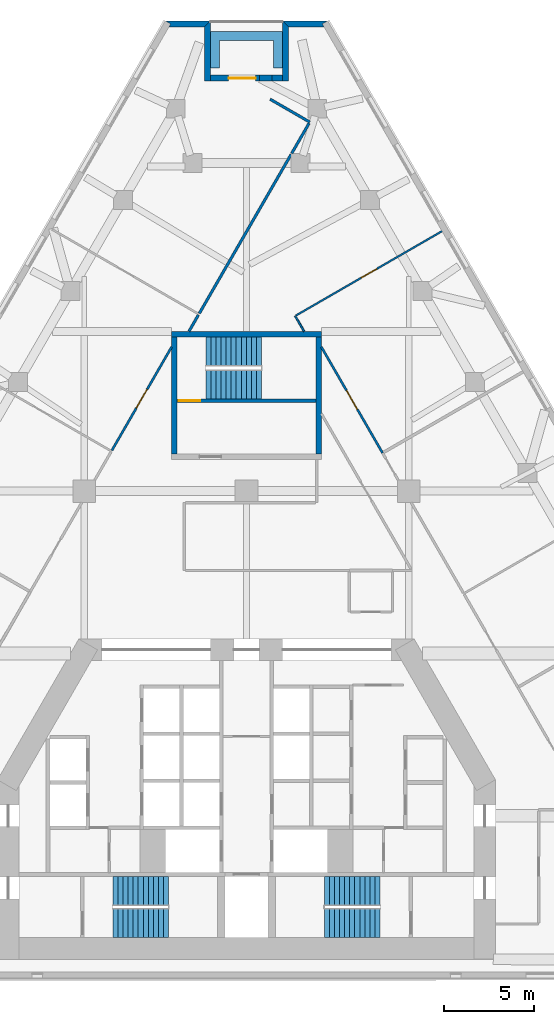
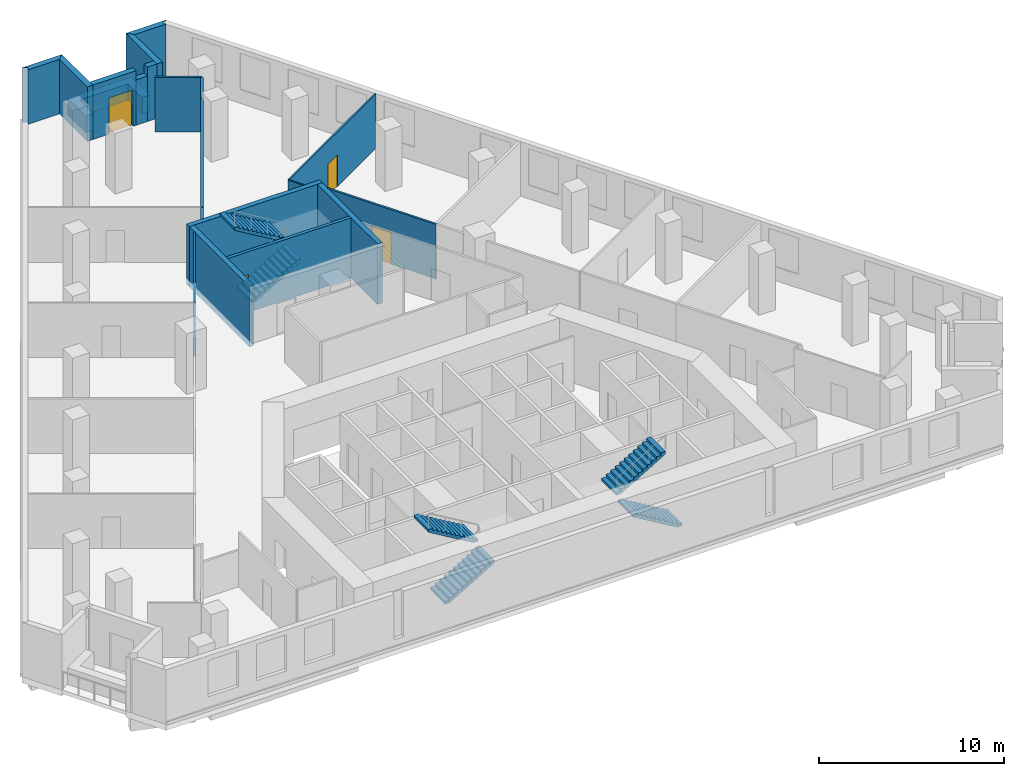
# One storey, part 8 of 9: 20 walls, 6 stair flights, 5 doors, 5 openings, 3 elements without a shape of their own.
"""IFC4 building model written with IfcOpenShell, lengths in metres."""

from ifc_helpers import new_model, si_unit, direction, frame, frame_2d, origin, place, context, subcontext, project, spatial, polyline, rectangle, outline, extrude, material, layer, layer_set, type_object, element, fill, aggregate, save


model = new_model("IFC4")

# Units and contexts
model_context = context("Model", 3, precision=1e-05, world=origin(), true_north=direction((0.0, 1.0)))
body_context = subcontext(model_context, "Body", "Model", "MODEL_VIEW")
ifc_project = project(units=[si_unit("LENGTHUNIT", "METRE"), si_unit("AREAUNIT", "SQUARE_METRE"), si_unit("VOLUMEUNIT", "CUBIC_METRE"), si_unit("PLANEANGLEUNIT", "RADIAN"), si_unit("MASSUNIT", "GRAM", prefix="KILO")], contexts=[model_context])

# Site, building, storey
site_placement = place(None, origin())
site = spatial("IfcSite", under=ifc_project, at=site_placement, CompositionType="ELEMENT")
building_placement = place(site_placement, origin())
building = spatial("IfcBuilding", under=site, at=building_placement, Name="Fogline Exchange Tower", CompositionType="ELEMENT")
storey_placement = place(building_placement, frame((0.0, 0.0, 100.10009765625)))
storey = spatial("IfcBuildingStorey", under=building, at=storey_placement, Name="L21", CompositionType="ELEMENT", Elevation=100.10009765625)

# Wall, opening, door
ifc_material_1 = material(Name="Concrete C40", Category="concrete")
ifc_layer_1 = layer(ifc_material_1, 0.199951171875)
ifc_layer_set_1 = layer_set([ifc_layer_1], Name="CW20R")
wall_type_1 = type_object("IfcWallType", Name="CW20R", PredefinedType="SOLIDWALL", material=ifc_layer_set_1)
wall_1_placement = place(storey_placement, frame((-3.85009765625, 32.007080078125, -0.400146484375), z_axis=(0.0, 0.0, 1.0), x_axis=(1.0, 0.0, 0.0)))
wall_1 = element("IfcWall", 1, at=wall_1_placement, inside=storey, type_object=wall_type_1, Name="Stair enclosure wall ST3", PredefinedType="SOLIDWALL", context=body_context, shape_type="SweptSolid", body=[
    extrude(rectangle(XDim=7.7001953125, YDim=0.199951171875, at=frame_2d((3.85009765625, 0.0))), origin(), (0.0, 0.0, 1.0), 4.0),
])
opening_1_placement = place(wall_1_placement, frame((0.10009765625, 0.0, 0.39990234375)))
opening_1 = element("IfcOpeningElement", 2, at=opening_1_placement, cuts=wall_1, Name="Opening T06-C023", PredefinedType="OPENING", context=body_context, shape_type="SweptSolid", body=[
    extrude(rectangle(XDim=1.199951171875, YDim=2.10009765625, at=frame_2d((0.60009765625, 1.050048828125))), frame((0.0, 0.10986328125, 0.0), z_axis=(0.0, -1.0, 0.0), x_axis=(1.0, 0.0, 0.0)), (0.0, 0.0, 1.0), 0.219970703125),
])
ifc_material_2 = material(Name="Steel and timber fire door", Category="steel")
door_type_1 = type_object("IfcDoorType", Name="D-ST1", OperationType="SINGLE_SWING_LEFT", PredefinedType="DOOR", material=ifc_material_2)
door_1_placement = place(opening_1_placement, origin())
door_1 = element("IfcDoor", 3, at=door_1_placement, inside=storey, type_object=door_type_1, Name="Stair door ST3", OperationType="SINGLE_SWING_LEFT", OverallHeight=2.10009765625, OverallWidth=1.199951171875, PredefinedType="DOOR", context=body_context, shape_type="SweptSolid", body=[
    extrude(rectangle(XDim=1.199951171875, YDim=2.10009765625, at=frame_2d((0.60009765625, 1.050048828125))), frame((0.0, 0.02490234375, 0.0), z_axis=(0.0, -1.0, 0.0), x_axis=(1.0, 0.0, 0.0)), (0.0, 0.0, 1.0), 0.050048828125),
])
fill(opening_1, door_1)

# Walls
ifc_layer_2 = layer(ifc_material_1, 0.300048828125)
ifc_layer_set_2 = layer_set([ifc_layer_2], Name="CW30")
wall_type_2 = type_object("IfcWallType", Name="CW30", PredefinedType="SOLIDWALL", material=ifc_layer_set_2)
wall_2_placement = place(storey_placement, frame((-4.14990234375, 35.70703125, -0.400146484375), z_axis=(0.0, 0.0, 1.0), x_axis=(1.0, 0.0, 0.0)))
element("IfcWall", 4, at=wall_2_placement, inside=storey, type_object=wall_type_2, Name="Stair enclosure wall ST3", PredefinedType="SOLIDWALL", context=body_context, shape_type="SweptSolid", body=[
    extrude(rectangle(XDim=8.2998046875, YDim=0.300048828125, at=frame_2d((4.14990234375, 0.0))), origin(), (0.0, 0.0, 1.0), 4.0),
])
for number, where, z_axis, x_axis, name in (
    (5, (-4.0, 29.056884765625, -0.400146484375), (0.0, 0.0, 1.0), (0.0, 1.0, 0.0), "Stair enclosure wall ST3"),
    (6, (4.0, 29.056884765625, -0.400146484375), (0.0, 0.0, 1.0), (0.0, 1.0, 0.0), "Stair enclosure wall ST3"),
):
    element("IfcWall", number, at=place(storey_placement, frame(where, z_axis=z_axis, x_axis=x_axis)), inside=storey, type_object=wall_type_2, Name=name, PredefinedType="SOLIDWALL", context=body_context, shape_type="SweptSolid", body=[
        extrude(rectangle(XDim=6.5, YDim=0.300048828125, at=frame_2d((3.25, 0.0))), origin(), (0.0, 0.0, 1.0), 4.0),
    ])
ifc_material_3 = material(Name="Brick masonry", Category="masonry")
ifc_layer_3 = layer(ifc_material_3, 0.340087890625)
ifc_layer_set_3 = layer_set([ifc_layer_3], Name="FW1")
wall_type_3 = type_object("IfcWallType", Name="FW1", PredefinedType="SOLIDWALL", material=ifc_layer_set_3)
wall_3_placement = place(storey_placement, origin())
element("IfcWall", 7, at=wall_3_placement, inside=storey, type_object=wall_type_3, Name="Brick wall L21 N-c1", PredefinedType="SOLIDWALL", context=body_context, shape_type="SweptSolid", body=[
    extrude(outline(polyline([(1.9990234375, 53.067138671875), (4.5009765625, 53.067138671875), (4.501220703125, 53.066650390625), (4.206298828125, 52.896484375), (4.3046875, 52.72607421875), (2.33984375, 52.72607421875), (1.998779296875, 53.06689453125), (1.9990234375, 53.067138671875)])), origin(), (0.0, 0.0, 1.0), 3.599853515625),
])
wall_4_placement = place(storey_placement, origin())
element("IfcWall", 8, at=wall_4_placement, inside=storey, type_object=wall_type_3, Name="Brick wall L21 N-s1", PredefinedType="SOLIDWALL", context=body_context, shape_type="SweptSolid", body=[
    extrude(outline(polyline([(2.340576171875, 49.72607421875), (1.99951171875, 49.72607421875), (1.99951171875, 53.067626953125), (1.999755859375, 53.06787109375), (2.340576171875, 52.726806640625), (2.340576171875, 49.72607421875)])), origin(), (0.0, 0.0, 1.0), 3.599853515625),
])
wall_5_placement = place(storey_placement, frame((2.0, 49.896728515625, 0.0), z_axis=(0.0, 0.0, 1.0), x_axis=(-1.0, 0.0, 0.0)))
element("IfcWall", 9, at=wall_5_placement, inside=storey, type_object=wall_type_3, Name="Brick wall L21 N-bk", PredefinedType="SOLIDWALL", context=body_context, shape_type="SweptSolid", body=[
    extrude(rectangle(XDim=0.589599609375, YDim=0.340087890625, at=frame_2d((0.294921875, 0.0))), origin(), (0.0, 0.0, 1.0), 3.599853515625),
])
wall_6_placement = place(storey_placement, frame((1.410400390625, 49.896728515625, 0.0), z_axis=(0.0, 0.0, 1.0), x_axis=(-1.0, 0.0, 0.0)))
element("IfcWall", 10, at=wall_6_placement, inside=storey, type_object=wall_type_3, Name="Brick wall L21 N-bk", PredefinedType="SOLIDWALL", context=body_context, shape_type="SweptSolid", body=[
    extrude(rectangle(XDim=0.701904296875, YDim=0.340087890625, at=frame_2d((0.35107421875, 0.0))), origin(), (0.0, 0.0, 1.0), 3.0),
])

# Wall, opening, door
wall_7_placement = place(storey_placement, frame((0.70849609375, 49.896728515625, 0.0), z_axis=(0.0, 0.0, 1.0), x_axis=(-1.0, 0.0, 0.0)))
wall_7 = element("IfcWall", 11, at=wall_7_placement, inside=storey, type_object=wall_type_3, Name="Brick wall L21 N-bk", PredefinedType="SOLIDWALL", context=body_context, shape_type="SweptSolid", body=[
    extrude(rectangle(XDim=2.70849609375, YDim=0.340087890625, at=frame_2d((1.354248046875, 0.0))), origin(), (0.0, 0.0, 1.0), 3.599853515625),
])
opening_2_placement = place(wall_7_placement, frame((0.199951171875, 0.0, 0.0)))
opening_2 = element("IfcOpeningElement", 12, at=opening_2_placement, cuts=wall_7, Name="Opening T06-E141", PredefinedType="OPENING", context=body_context, shape_type="SweptSolid", body=[
    extrude(rectangle(XDim=1.5, YDim=2.39990234375, at=frame_2d((0.75, 1.199951171875))), frame((0.0, 0.18017578125, 0.0), z_axis=(0.0, -1.0, 0.0), x_axis=(1.0, 0.0, 0.0)), (0.0, 0.0, 1.0), 0.360107421875),
])
ifc_material_4 = material(Name="Aluminium and glass", Category="aluminium")
door_type_2 = type_object("IfcDoorType", Name="ED4", OperationType="SINGLE_SWING_LEFT", PredefinedType="DOOR", material=ifc_material_4)
door_2_placement = place(opening_2_placement, frame((1.5, 0.0, 0.0), z_axis=(0.0, 0.0, 1.0), x_axis=(-1.0, 0.0, 0.0)))
door_2 = element("IfcDoor", 13, at=door_2_placement, inside=storey, type_object=door_type_2, Name="Balcony door L21 N", OperationType="DOUBLE_DOOR_SINGLE_SWING", OverallHeight=2.39990234375, OverallWidth=1.5, PredefinedType="DOOR", context=body_context, shape_type="SweptSolid", body=[
    extrude(rectangle(XDim=1.5, YDim=2.39990234375, at=frame_2d((0.75, 1.199951171875))), frame((0.0, 0.02490234375, 0.0), z_axis=(0.0, -1.0, 0.0), x_axis=(1.0, 0.0, 0.0)), (0.0, 0.0, 1.0), 0.050048828125),
])
fill(opening_2, door_2)

# Walls
wall_8_placement = place(storey_placement, origin())
element("IfcWall", 14, at=wall_8_placement, inside=storey, type_object=wall_type_3, Name="Brick wall L21 N-s2", PredefinedType="SOLIDWALL", context=body_context, shape_type="SweptSolid", body=[
    extrude(outline(polyline([(-1.99951171875, 53.067626953125), (-1.99951171875, 49.72607421875), (-2.340576171875, 49.72607421875), (-2.340576171875, 52.726806640625), (-1.999755859375, 53.06787109375), (-1.99951171875, 53.067626953125)])), origin(), (0.0, 0.0, 1.0), 3.599853515625),
])
wall_9_placement = place(storey_placement, origin())
element("IfcWall", 15, at=wall_9_placement, inside=storey, type_object=wall_type_3, Name="Brick wall L21 N-c2", PredefinedType="SOLIDWALL", context=body_context, shape_type="SweptSolid", body=[
    extrude(outline(polyline([(-4.3046875, 52.72607421875), (-4.206298828125, 52.896484375), (-4.501220703125, 53.066650390625), (-4.5009765625, 53.067138671875), (-1.9990234375, 53.067138671875), (-1.998779296875, 53.06689453125), (-2.33984375, 52.72607421875), (-4.3046875, 52.72607421875)])), origin(), (0.0, 0.0, 1.0), 3.599853515625),
])
ifc_material_5 = material(Name="Concrete C30", Category="concrete")
ifc_layer_4 = layer(ifc_material_5, 0.199951171875)
ifc_layer_set_4 = layer_set([ifc_layer_4], Name="PL1")
wall_type_4 = type_object("IfcWallType", Name="PL1", PredefinedType="USERDEFINED", material=ifc_layer_set_4)
wall_10_placement = place(storey_placement, origin())
element("IfcWall", 16, at=wall_10_placement, inside=storey, type_object=wall_type_4, Name="PLANTER balcony L21 N", ObjectType="PLANTER", PredefinedType="USERDEFINED", context=body_context, shape_type="SweptSolid", body=[
    extrude(outline(polyline([(-1.5, 52.466796875), (-2.0, 52.466796875), (-2.0, 51.966796875), (-2.0, 50.466796875), (-1.5, 50.466796875), (-1.5, 51.966796875), (1.5, 51.966796875), (1.5, 50.466796875), (2.0, 50.466796875), (2.0, 51.966796875), (2.0, 52.466796875), (1.5, 52.466796875), (-1.5, 52.466796875)])), origin(), (0.0, 0.0, 1.0), 1.099853515625),
])
ifc_material_6 = material(Name="Plasterboard partition, 2 layers each side on steel studs", Category="steel")
ifc_layer_5 = layer(ifc_material_6, 0.10009765625)
ifc_layer_set_5 = layer_set([ifc_layer_5], Name="PW1")
wall_type_5 = type_object("IfcWallType", Name="PW1", PredefinedType="PARTITIONING", material=ifc_layer_set_5)
wall_11_placement = place(storey_placement, frame((3.189208984375, 35.85693359375, 0.0), z_axis=(0.0, 0.0, 1.0), x_axis=(-0.499901420094, 0.866082311439, 0.0)))
element("IfcWall", 17, at=wall_11_placement, inside=storey, type_object=wall_type_5, Name="wall-L21-W032", PredefinedType="PARTITIONING", context=body_context, shape_type="SweptSolid", body=[
    extrude(rectangle(XDim=0.984130859375, YDim=0.10009765625, at=frame_2d((0.4921875, 0.0))), origin(), (0.0, 0.0, 1.0), 3.599853515625),
])

# Wall, opening, door
wall_12_placement = place(storey_placement, frame((2.740478515625, 36.734130859375, 0.0), z_axis=(0.0, 0.0, 1.0), x_axis=(0.866025136707, 0.500000462592, 0.0)))
wall_12 = element("IfcWall", 18, at=wall_12_placement, inside=storey, type_object=wall_type_5, Name="wall-L21-W033", PredefinedType="PARTITIONING", context=body_context, shape_type="SweptSolid", body=[
    extrude(rectangle(XDim=9.35009765625, YDim=0.10009765625, at=frame_2d((4.675048828125, 0.0))), origin(), (0.0, 0.0, 1.0), 3.599853515625),
])
opening_3_placement = place(wall_12_placement, frame((4.175048828125, 0.0, 0.0)))
opening_3 = element("IfcOpeningElement", 19, at=opening_3_placement, cuts=wall_12, Name="Opening T06-D014", PredefinedType="OPENING", context=body_context, shape_type="SweptSolid", body=[
    extrude(rectangle(XDim=1.0, YDim=2.10009765625, at=frame_2d((0.5, 1.050048828125))), frame((0.0, 0.06005859375, 0.0), z_axis=(0.0, -1.0, 0.0), x_axis=(1.0, 0.0, 0.0)), (0.0, 0.0, 1.0), 0.1201171875),
])
ifc_material_7 = material(Name="Timber door leaf with steel frame", Category="steel")
door_type_3 = type_object("IfcDoorType", Name="D1", OperationType="SINGLE_SWING_LEFT", PredefinedType="DOOR", material=ifc_material_7)
door_3_placement = place(opening_3_placement, frame((1.0, 0.0, 0.0), z_axis=(0.0, 0.0, 1.0), x_axis=(-1.0, 0.0, 0.0)))
door_3 = element("IfcDoor", 20, at=door_3_placement, inside=storey, type_object=door_type_3, Name="door-L21-D014", OperationType="SINGLE_SWING_RIGHT", OverallHeight=2.10009765625, OverallWidth=1.0, PredefinedType="DOOR", context=body_context, shape_type="SweptSolid", body=[
    extrude(rectangle(XDim=1.0, YDim=2.10009765625, at=frame_2d((0.5, 1.050048828125))), frame((0.0, 0.02490234375, 0.0), z_axis=(0.0, -1.0, 0.0), x_axis=(1.0, 0.0, 0.0)), (0.0, 0.0, 1.0), 0.050048828125),
])
fill(opening_3, door_3)

ifc_material_8 = material(Name="Plasterboard corridor partition with mineral wool, 2 layers each side")
ifc_layer_6 = layer(ifc_material_8, 0.125)
ifc_layer_set_6 = layer_set([ifc_layer_6], Name="PW2")
wall_type_6 = type_object("IfcWallType", Name="PW2", PredefinedType="PARTITIONING", material=ifc_layer_set_6)
wall_13_placement = place(storey_placement, frame((-7.460693359375, 29.25830078125, 0.0), z_axis=(0.0, 0.0, 1.0), x_axis=(0.49998947903, 0.866031477984, 0.0)))
wall_13 = element("IfcWall", 21, at=wall_13_placement, inside=storey, type_object=wall_type_6, Name="wall-L21-W010", PredefinedType="PARTITIONING", context=body_context, shape_type="SweptSolid", body=[
    extrude(rectangle(XDim=6.621826171875, YDim=0.125, at=frame_2d((3.31103515625, 0.0))), origin(), (0.0, 0.0, 1.0), 3.599853515625),
])
opening_4_placement = place(wall_13_placement, frame((2.7109375, 0.0, 0.0)))
opening_4 = element("IfcOpeningElement", 22, at=opening_4_placement, cuts=wall_13, Name="Opening T06-D004", PredefinedType="OPENING", context=body_context, shape_type="SweptSolid", body=[
    extrude(rectangle(XDim=1.199951171875, YDim=2.10009765625, at=frame_2d((0.60009765625, 1.050048828125))), frame((0.0, 0.072509765625, 0.0), z_axis=(0.0, -1.0, 0.0), x_axis=(1.0, 0.0, 0.0)), (0.0, 0.0, 1.0), 0.14501953125),
])
ifc_material_9 = material(Name="Fire-rated glazed door leaf with steel frame", Category="steel")
door_type_4 = type_object("IfcDoorType", Name="D5", OperationType="SINGLE_SWING_LEFT", PredefinedType="DOOR", material=ifc_material_9)
door_4_placement = place(opening_4_placement, origin())
door_4 = element("IfcDoor", 23, at=door_4_placement, inside=storey, type_object=door_type_4, Name="door-L21-D004", OperationType="SINGLE_SWING_LEFT", OverallHeight=2.10009765625, OverallWidth=1.199951171875, PredefinedType="DOOR", context=body_context, shape_type="SweptSolid", body=[
    extrude(rectangle(XDim=1.199951171875, YDim=2.10009765625, at=frame_2d((0.60009765625, 1.050048828125))), frame((0.0, 0.02490234375, 0.0), z_axis=(0.0, -1.0, 0.0), x_axis=(1.0, 0.0, 0.0)), (0.0, 0.0, 1.0), 0.050048828125),
])
fill(opening_4, door_4)

wall_14_placement = place(storey_placement, frame((4.14990234375, 34.992919921875, 0.0), z_axis=(0.0, 0.0, 1.0), x_axis=(0.500019286615, -0.866014268366, 0.0)))
wall_14 = element("IfcWall", 24, at=wall_14_placement, inside=storey, type_object=wall_type_6, Name="wall-L21-W022", PredefinedType="PARTITIONING", context=body_context, shape_type="SweptSolid", body=[
    extrude(rectangle(XDim=6.787353515625, YDim=0.125, at=frame_2d((3.3935546875, 0.0))), origin(), (0.0, 0.0, 1.0), 3.599853515625),
])
opening_5_placement = place(wall_14_placement, frame((2.793701171875, 0.0, 0.0)))
opening_5 = element("IfcOpeningElement", 25, at=opening_5_placement, cuts=wall_14, Name="Opening T06-D010", PredefinedType="OPENING", context=body_context, shape_type="SweptSolid", body=[
    extrude(rectangle(XDim=1.199951171875, YDim=2.10009765625, at=frame_2d((0.60009765625, 1.050048828125))), frame((0.0, 0.072509765625, 0.0), z_axis=(0.0, -1.0, 0.0), x_axis=(1.0, 0.0, 0.0)), (0.0, 0.0, 1.0), 0.14501953125),
])
door_5_placement = place(opening_5_placement, origin())
door_5 = element("IfcDoor", 26, at=door_5_placement, inside=storey, type_object=door_type_4, Name="door-L21-D010", OperationType="SINGLE_SWING_RIGHT", OverallHeight=2.10009765625, OverallWidth=1.199951171875, PredefinedType="DOOR", context=body_context, shape_type="SweptSolid", body=[
    extrude(rectangle(XDim=1.199951171875, YDim=2.10009765625, at=frame_2d((0.60009765625, 1.050048828125))), frame((0.0, 0.02490234375, 0.0), z_axis=(0.0, -1.0, 0.0), x_axis=(1.0, 0.0, 0.0)), (0.0, 0.0, 1.0), 0.050048828125),
])
fill(opening_5, door_5)

# Walls
ifc_material_10 = material(Name="Plasterboard demising partition with mineral wool and acoustic board")
ifc_layer_7 = layer(ifc_material_10, 0.14990234375)
ifc_layer_set_7 = layer_set([ifc_layer_7], Name="PW3")
wall_type_7 = type_object("IfcWallType", Name="PW3", PredefinedType="PARTITIONING", material=ifc_layer_set_7)
wall_15_placement = place(storey_placement, frame((-2.614501953125, 36.8525390625, 0.0), z_axis=(0.0, 0.0, 1.0), x_axis=(0.500011041907, 0.866019028643, 0.0)))
element("IfcWall", 27, at=wall_15_placement, inside=storey, type_object=wall_type_7, Name="wall-L21-W034", PredefinedType="PARTITIONING", context=body_context, shape_type="SweptSolid", body=[
    extrude(rectangle(XDim=10.178955078125, YDim=0.14990234375, at=frame_2d((5.08935546875, 0.0))), origin(), (0.0, 0.0, 1.0), 3.599853515625),
])
wall_16_placement = place(storey_placement, frame((2.506103515625, 45.7216796875, 0.0), z_axis=(0.0, 0.0, 1.0), x_axis=(0.499963437846, 0.866046511925, 0.0)))
element("IfcWall", 28, at=wall_16_placement, inside=storey, type_object=wall_type_7, Name="wall-L21-W035", PredefinedType="PARTITIONING", context=body_context, shape_type="SweptSolid", body=[
    extrude(rectangle(XDim=1.929443359375, YDim=0.14990234375, at=frame_2d((0.96484375, 0.0))), origin(), (0.0, 0.0, 1.0), 3.599853515625),
])
wall_17_placement = place(storey_placement, frame((3.50830078125, 47.45751953125, 0.0), z_axis=(0.0, 0.0, 1.0), x_axis=(-0.8660171257, 0.500014337789, 0.0)))
element("IfcWall", 29, at=wall_17_placement, inside=storey, type_object=wall_type_7, Name="wall-L21-W036", PredefinedType="PARTITIONING", context=body_context, shape_type="SweptSolid", body=[
    extrude(rectangle(XDim=2.5341796875, YDim=0.14990234375, at=frame_2d((1.26708984375, 0.0))), origin(), (0.0, 0.0, 1.0), 3.599853515625),
])
wall_18_placement = place(storey_placement, frame((-3.189208984375, 35.85693359375, 0.0), z_axis=(0.0, 0.0, 1.0), x_axis=(0.500044870432, 0.865999496279, 0.0)))
element("IfcWall", 30, at=wall_18_placement, inside=storey, type_object=wall_type_7, Name="wall-L21-W037", PredefinedType="PARTITIONING", context=body_context, shape_type="SweptSolid", body=[
    extrude(rectangle(XDim=1.048828125, YDim=0.14990234375, at=frame_2d((0.5244140625, 0.0))), origin(), (0.0, 0.0, 1.0), 3.599853515625),
])

# Stair, stair flights
stair_type = type_object("IfcStairType", Name="STR24-1667", PredefinedType="HALF_TURN_STAIR", material=ifc_material_1)
stair_1_placement = place(storey_placement, origin())
stair_1 = element("IfcStair", 31, at=stair_1_placement, inside=storey, type_object=stair_type, Name="Stair ST1", PredefinedType="HALF_TURN_STAIR")
stair_flight_type = type_object("IfcStairFlightType", Name="SF12-1667", PredefinedType="STRAIGHT", material=ifc_material_1)
stair_flight_1_placement = place(storey_placement, frame((-7.39990234375, 3.050048828125, 0.0), z_axis=(0.0, 0.0, 1.0), x_axis=(1.0, 0.0, 0.0)))
stair_flight_1 = element("IfcStairFlight", 32, at=stair_flight_1_placement, type_object=stair_flight_type, Name="ST1 flight 1", NumberOfRisers=12, NumberOfTreads=11, PredefinedType="STRAIGHT", RiserHeight=0.166666667, TreadLength=0.28, context=body_context, shape_type="SweptSolid", body=[
    extrude(outline(polyline([(0.0, 0.0), (0.0, 0.166748046875), (0.280029296875, 0.166748046875), (0.280029296875, 0.333251953125), (0.56005859375, 0.333251953125), (0.56005859375, 0.5), (0.840087890625, 0.5), (0.840087890625, 0.666748046875), (1.1201171875, 0.666748046875), (1.1201171875, 0.833251953125), (1.39990234375, 0.833251953125), (1.39990234375, 1.0), (1.679931640625, 1.0), (1.679931640625, 1.166748046875), (1.9599609375, 1.166748046875), (1.9599609375, 1.333251953125), (2.239990234375, 1.333251953125), (2.239990234375, 1.5), (2.52001953125, 1.5), (2.52001953125, 1.666748046875), (2.800048828125, 1.666748046875), (2.800048828125, 1.833251953125), (3.080078125, 1.833251953125), (3.080078125, 2.0), (3.080078125, 1.658935546875), (0.29296875, 0.0), (0.0, 0.0)])), frame((0.0, 0.800048828125, 0.0), z_axis=(0.0, -1.0, 0.0), x_axis=(1.0, 0.0, 0.0)), (0.0, 0.0, 1.0), 1.60009765625),
])
stair_flight_2_placement = place(storey_placement, frame((-4.320068359375, 4.85009765625, 2.0), z_axis=(0.0, 0.0, 1.0), x_axis=(-1.0, 0.0, 0.0)))
stair_flight_2 = element("IfcStairFlight", 33, at=stair_flight_2_placement, type_object=stair_flight_type, Name="ST1 flight 2", NumberOfRisers=12, NumberOfTreads=11, PredefinedType="STRAIGHT", RiserHeight=0.166666667, TreadLength=0.28, context=body_context, shape_type="SweptSolid", body=[
    extrude(outline(polyline([(0.0, 0.0), (0.0, 0.166748046875), (0.280029296875, 0.166748046875), (0.280029296875, 0.333251953125), (0.56005859375, 0.333251953125), (0.56005859375, 0.5), (0.840087890625, 0.5), (0.840087890625, 0.666748046875), (1.1201171875, 0.666748046875), (1.1201171875, 0.833251953125), (1.39990234375, 0.833251953125), (1.39990234375, 1.0), (1.679931640625, 1.0), (1.679931640625, 1.166748046875), (1.9599609375, 1.166748046875), (1.9599609375, 1.333251953125), (2.239990234375, 1.333251953125), (2.239990234375, 1.5), (2.52001953125, 1.5), (2.52001953125, 1.666748046875), (2.800048828125, 1.666748046875), (2.800048828125, 1.833251953125), (3.080078125, 1.833251953125), (3.080078125, 2.0), (3.080078125, 1.658935546875), (0.29296875, 0.0), (0.0, 0.0)])), frame((0.0, 0.800048828125, 0.0), z_axis=(0.0, -1.0, 0.0), x_axis=(1.0, 0.0, 0.0)), (0.0, 0.0, 1.0), 1.60009765625),
])
aggregate(stair_1, [stair_flight_1, stair_flight_2])

stair_2_placement = place(storey_placement, origin())
stair_2 = element("IfcStair", 34, at=stair_2_placement, inside=storey, type_object=stair_type, Name="Stair ST2", PredefinedType="HALF_TURN_STAIR")
stair_flight_3_placement = place(storey_placement, frame((7.39990234375, 3.050048828125, 0.0), z_axis=(0.0, 0.0, 1.0), x_axis=(-1.0, 0.0, 0.0)))
stair_flight_3 = element("IfcStairFlight", 35, at=stair_flight_3_placement, type_object=stair_flight_type, Name="ST2 flight 1", NumberOfRisers=12, NumberOfTreads=11, PredefinedType="STRAIGHT", RiserHeight=0.166666667, TreadLength=0.28, context=body_context, shape_type="SweptSolid", body=[
    extrude(outline(polyline([(0.0, 0.0), (0.0, 0.166748046875), (0.280029296875, 0.166748046875), (0.280029296875, 0.333251953125), (0.56005859375, 0.333251953125), (0.56005859375, 0.5), (0.840087890625, 0.5), (0.840087890625, 0.666748046875), (1.1201171875, 0.666748046875), (1.1201171875, 0.833251953125), (1.39990234375, 0.833251953125), (1.39990234375, 1.0), (1.679931640625, 1.0), (1.679931640625, 1.166748046875), (1.9599609375, 1.166748046875), (1.9599609375, 1.333251953125), (2.239990234375, 1.333251953125), (2.239990234375, 1.5), (2.52001953125, 1.5), (2.52001953125, 1.666748046875), (2.800048828125, 1.666748046875), (2.800048828125, 1.833251953125), (3.080078125, 1.833251953125), (3.080078125, 2.0), (3.080078125, 1.658935546875), (0.29296875, 0.0), (0.0, 0.0)])), frame((0.0, 0.800048828125, 0.0), z_axis=(0.0, -1.0, 0.0), x_axis=(1.0, 0.0, 0.0)), (0.0, 0.0, 1.0), 1.60009765625),
])
stair_flight_4_placement = place(storey_placement, frame((4.320068359375, 4.85009765625, 2.0), z_axis=(0.0, 0.0, 1.0), x_axis=(1.0, 0.0, 0.0)))
stair_flight_4 = element("IfcStairFlight", 36, at=stair_flight_4_placement, type_object=stair_flight_type, Name="ST2 flight 2", NumberOfRisers=12, NumberOfTreads=11, PredefinedType="STRAIGHT", RiserHeight=0.166666667, TreadLength=0.28, context=body_context, shape_type="SweptSolid", body=[
    extrude(outline(polyline([(0.0, 0.0), (0.0, 0.166748046875), (0.280029296875, 0.166748046875), (0.280029296875, 0.333251953125), (0.56005859375, 0.333251953125), (0.56005859375, 0.5), (0.840087890625, 0.5), (0.840087890625, 0.666748046875), (1.1201171875, 0.666748046875), (1.1201171875, 0.833251953125), (1.39990234375, 0.833251953125), (1.39990234375, 1.0), (1.679931640625, 1.0), (1.679931640625, 1.166748046875), (1.9599609375, 1.166748046875), (1.9599609375, 1.333251953125), (2.239990234375, 1.333251953125), (2.239990234375, 1.5), (2.52001953125, 1.5), (2.52001953125, 1.666748046875), (2.800048828125, 1.666748046875), (2.800048828125, 1.833251953125), (3.080078125, 1.833251953125), (3.080078125, 2.0), (3.080078125, 1.658935546875), (0.29296875, 0.0), (0.0, 0.0)])), frame((0.0, 0.800048828125, 0.0), z_axis=(0.0, -1.0, 0.0), x_axis=(1.0, 0.0, 0.0)), (0.0, 0.0, 1.0), 1.60009765625),
])
aggregate(stair_2, [stair_flight_3, stair_flight_4])

stair_3_placement = place(storey_placement, origin())
stair_3 = element("IfcStair", 37, at=stair_3_placement, inside=storey, type_object=stair_type, Name="Stair ST3", PredefinedType="HALF_TURN_STAIR")
stair_flight_5_placement = place(storey_placement, frame((-2.25, 32.906982421875, 0.0), z_axis=(0.0, 0.0, 1.0), x_axis=(1.0, 0.0, 0.0)))
stair_flight_5 = element("IfcStairFlight", 38, at=stair_flight_5_placement, type_object=stair_flight_type, Name="ST3 flight 1", NumberOfRisers=12, NumberOfTreads=11, PredefinedType="STRAIGHT", RiserHeight=0.166666667, TreadLength=0.28, context=body_context, shape_type="SweptSolid", body=[
    extrude(outline(polyline([(0.0, 0.0), (0.0, 0.166748046875), (0.280029296875, 0.166748046875), (0.280029296875, 0.333251953125), (0.56005859375, 0.333251953125), (0.56005859375, 0.5), (0.840087890625, 0.5), (0.840087890625, 0.666748046875), (1.1201171875, 0.666748046875), (1.1201171875, 0.833251953125), (1.39990234375, 0.833251953125), (1.39990234375, 1.0), (1.679931640625, 1.0), (1.679931640625, 1.166748046875), (1.9599609375, 1.166748046875), (1.9599609375, 1.333251953125), (2.239990234375, 1.333251953125), (2.239990234375, 1.5), (2.52001953125, 1.5), (2.52001953125, 1.666748046875), (2.800048828125, 1.666748046875), (2.800048828125, 1.833251953125), (3.080078125, 1.833251953125), (3.080078125, 2.0), (3.080078125, 1.658935546875), (0.29296875, 0.0), (0.0, 0.0)])), frame((0.0, 0.800048828125, 0.0), z_axis=(0.0, -1.0, 0.0), x_axis=(1.0, 0.0, 0.0)), (0.0, 0.0, 1.0), 1.60009765625),
])
stair_flight_6_placement = place(storey_placement, frame((0.830078125, 34.757080078125, 2.0), z_axis=(0.0, 0.0, 1.0), x_axis=(-1.0, 0.0, 0.0)))
stair_flight_6 = element("IfcStairFlight", 39, at=stair_flight_6_placement, type_object=stair_flight_type, Name="ST3 flight 2", NumberOfRisers=12, NumberOfTreads=11, PredefinedType="STRAIGHT", RiserHeight=0.166666667, TreadLength=0.28, context=body_context, shape_type="SweptSolid", body=[
    extrude(outline(polyline([(0.0, 0.0), (0.0, 0.166748046875), (0.280029296875, 0.166748046875), (0.280029296875, 0.333251953125), (0.56005859375, 0.333251953125), (0.56005859375, 0.5), (0.840087890625, 0.5), (0.840087890625, 0.666748046875), (1.1201171875, 0.666748046875), (1.1201171875, 0.833251953125), (1.39990234375, 0.833251953125), (1.39990234375, 1.0), (1.679931640625, 1.0), (1.679931640625, 1.166748046875), (1.9599609375, 1.166748046875), (1.9599609375, 1.333251953125), (2.239990234375, 1.333251953125), (2.239990234375, 1.5), (2.52001953125, 1.5), (2.52001953125, 1.666748046875), (2.800048828125, 1.666748046875), (2.800048828125, 1.833251953125), (3.080078125, 1.833251953125), (3.080078125, 2.0), (3.080078125, 1.658935546875), (0.29296875, 0.0), (0.0, 0.0)])), frame((0.0, 0.800048828125, 0.0), z_axis=(0.0, -1.0, 0.0), x_axis=(1.0, 0.0, 0.0)), (0.0, 0.0, 1.0), 1.60009765625),
])
aggregate(stair_3, [stair_flight_5, stair_flight_6])

save(model, "model.ifc")
